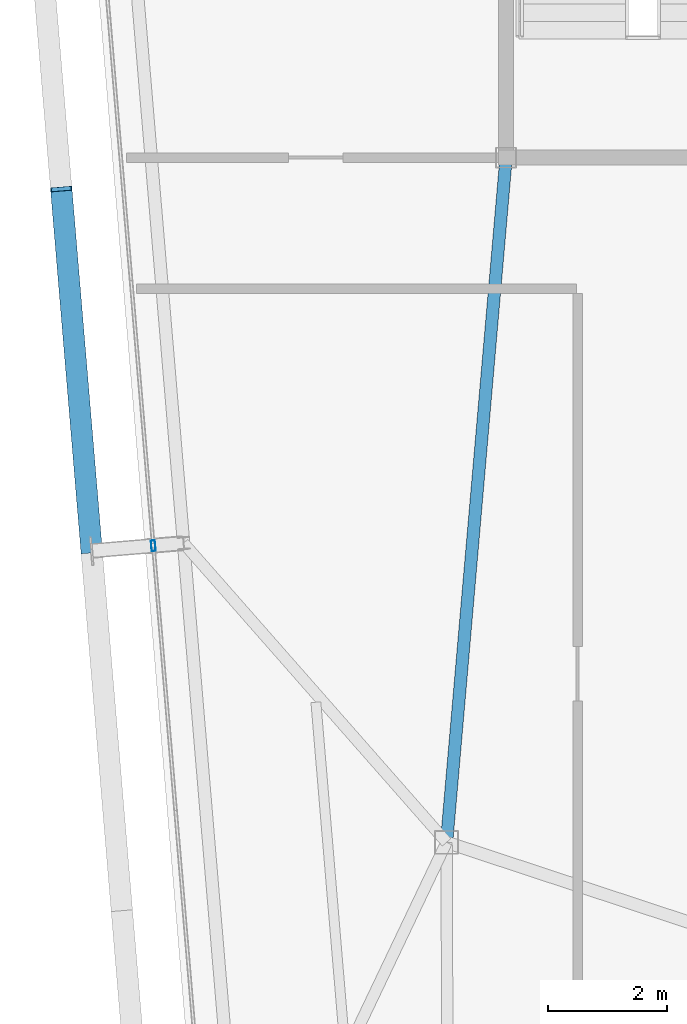
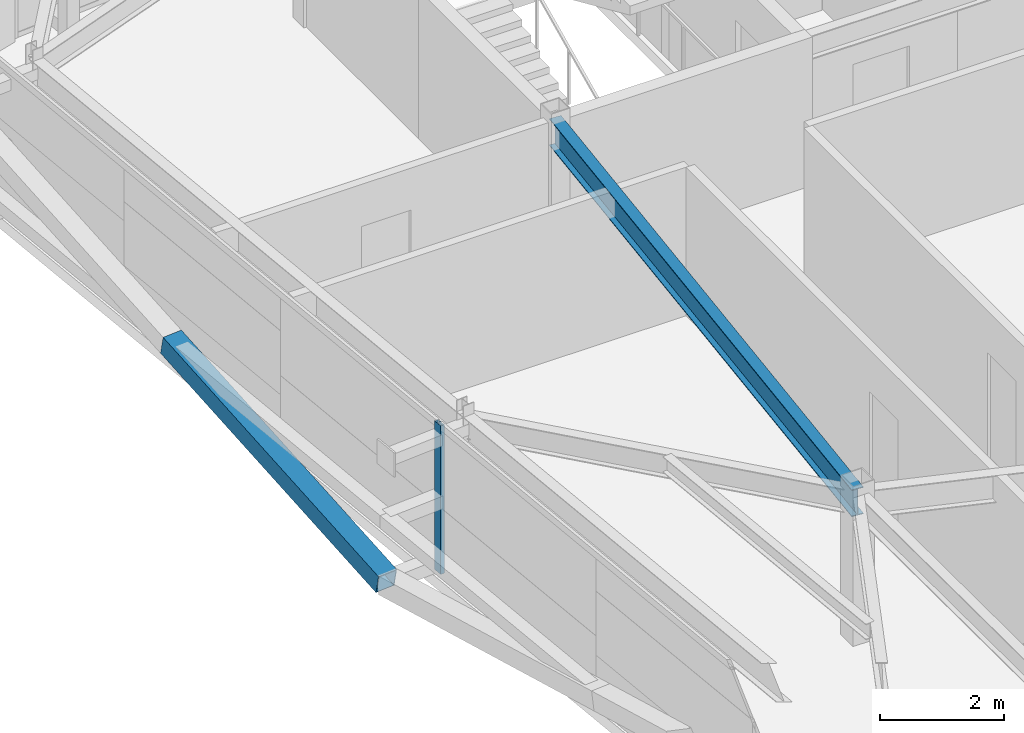
# One storey, part 12 of 37: 2 members, 1 beam, 1 element without a shape of its own.
"""IFC4 building model written with IfcOpenShell, lengths in metres."""

from ifc_helpers import new_model, si_unit, direction, frame, origin, origin_2d, place, context, subcontext, project, spatial, hollow_rectangle, i_section, extrude, source, transform, mapped, material, layer, layer_set, material_profile, profile_set, type_object, element, aggregate, save


model = new_model("IFC4")

# Units and contexts
model_context = context("Model", 3, precision=1e-05, world=origin(), true_north=direction((0.0, 1.0)))
body_context = subcontext(model_context, "Body", "Model", "MODEL_VIEW")
ifc_project = project(units=[si_unit("LENGTHUNIT", "METRE"), si_unit("AREAUNIT", "SQUARE_METRE"), si_unit("VOLUMEUNIT", "CUBIC_METRE"), si_unit("PLANEANGLEUNIT", "RADIAN"), si_unit("MASSUNIT", "GRAM", prefix="KILO")], contexts=[model_context])

# Site, building, storey
site_placement = place(None, origin())
site = spatial("IfcSite", under=ifc_project, at=site_placement, CompositionType="ELEMENT")
building_placement = place(site_placement, origin())
building = spatial("IfcBuilding", under=site, at=building_placement, Name="Taldren Reach Tower", CompositionType="ELEMENT")
storey_placement = place(building_placement, frame((0.0, 0.0, 182.0)))
storey = spatial("IfcBuildingStorey", under=building, at=storey_placement, Name="L55", CompositionType="ELEMENT", Elevation=182.0)

# Beam
ifc_material_1 = material(Name="Steel Gr 350 (350PLUS)", Category="steel")
ifc_material_profile_1 = material_profile(ifc_material_1, i_section(OverallWidth=0.208984375, OverallDepth=0.532958984375, WebThickness=0.01025390625, FlangeThickness=0.015625, at=origin_2d()), Name="530UB92.4")
ifc_profile_set_1 = profile_set([ifc_material_profile_1], Name="Steel Gr 350 (350PLUS)")
beam_type = type_object("IfcBeamType", Name="BM-UB530A", PredefinedType="BEAM", material=ifc_profile_set_1)
shared_shape_1 = source(origin(), body_context, "Body", "SweptSolid", [
    extrude(i_section(OverallWidth=0.208984375, OverallDepth=0.532958984375, WebThickness=0.01025390625, FlangeThickness=0.015625, at=origin_2d()), origin(), (0.0, 0.0, 1.0), 11.54345703125),
])
beam_placement = place(storey_placement, frame((19.0, 24.0, 2.66357421875), z_axis=(-0.086629616365, -0.996240588196, 0.0), x_axis=(0.996240588196, -0.086629616365, 0.0)))
element("IfcBeam", 1, at=beam_placement, inside=storey, type_object=beam_type, Name="Core-spine girder L55-SP09", PredefinedType="BEAM", context=body_context, shape_type="MappedRepresentation", body=[
    mapped(shared_shape_1, transform((0.0, 0.0, 0.0), scale=1.0)),
])

# Member
ifc_material_2 = material(Name="Steel Gr 450 (C450L0)", Category="steel")
ifc_material_profile_2 = material_profile(ifc_material_2, hollow_rectangle(XDim=0.360107421875, YDim=0.360107421875, WallThickness=0.0126953125, at=origin_2d()), Name="360x360x12.7SHS")
ifc_profile_set_2 = profile_set([ifc_material_profile_2], Name="Steel Gr 450 (C450L0)")
member_type_1 = type_object("IfcMemberType", Name="MB-EXO356", PredefinedType="BRACE", material=ifc_profile_set_2)
shared_shape_2 = source(origin(), body_context, "Body", "SweptSolid", [
    extrude(hollow_rectangle(XDim=0.360107421875, YDim=0.360107421875, WallThickness=0.0126953125, at=origin_2d()), origin(), (0.0, 0.0, 1.0), 6.2197265625),
])
member_1_placement = place(storey_placement, frame((12.0380859375, 17.3955078125, 0.219970703125), z_axis=(-0.082036577282, 0.977295072332, 0.195356959394), x_axis=(-0.996495340012, -0.08364829547, 0.0)))
element("IfcMember", 2, at=member_1_placement, inside=storey, type_object=member_type_1, Name="Exoskeleton Diagrid Brace B4-W2 L55", PredefinedType="BRACE", context=body_context, shape_type="MappedRepresentation", body=[
    mapped(shared_shape_2, transform((0.0, 0.0, 0.0), scale=1.0)),
])

# Curtain wall, member
ifc_material_3 = material(Name="Aluminium and Low-E Glass Unitised System", Category="aluminium")
ifc_layer = layer(ifc_material_3, 0.159912109375)
ifc_layer_set = layer_set([ifc_layer], Name="Aluminium and Low-E Glass Unitised System")
curtain_wall_type = type_object("IfcCurtainWallType", Name="CW-SYS-5", PredefinedType="NOTDEFINED", material=ifc_layer_set)
curtain_wall_placement = place(storey_placement, origin())
curtain_wall = element("IfcCurtainWall", 3, at=curtain_wall_placement, inside=storey, type_object=curtain_wall_type, Name="Unitised curtain wall CW-L55-W", PredefinedType="NOTDEFINED")
ifc_material_4 = material(Name="Anodised Aluminium 6063-T6", Category="aluminium")
ifc_material_profile_3 = material_profile(ifc_material_4, hollow_rectangle(XDim=0.070068359375, YDim=0.179931640625, WallThickness=0.00390625, at=origin_2d()), Name="ALU-180x70x4RHS")
ifc_profile_set_3 = profile_set([ifc_material_profile_3], Name="Anodised Aluminium 6063-T6")
member_type_2 = type_object("IfcMemberType", Name="CW-MUL-180", PredefinedType="MULLION", material=ifc_profile_set_3)
shared_shape_3 = source(origin(), body_context, "Body", "SweptSolid", [
    extrude(hollow_rectangle(XDim=0.070068359375, YDim=0.179931640625, WallThickness=0.00390625, at=origin_2d()), origin(), (0.0, 0.0, 1.0), 2.929931640625),
])
member_2_placement = place(storey_placement, frame((13.074462890625, 17.482421875, 0.0), z_axis=(0.0, 0.0, 1.0), x_axis=(0.996492847789, 0.083677979808, 0.0)))
member_2 = element("IfcMember", 4, at=member_2_placement, type_object=member_type_2, Name="CW-5 mullion 2", PredefinedType="MULLION", context=body_context, shape_type="MappedRepresentation", body=[
    mapped(shared_shape_3, transform((0.0, 0.0, 0.0), scale=1.0)),
])
aggregate(curtain_wall, [member_2])

save(model, "model.ifc")
